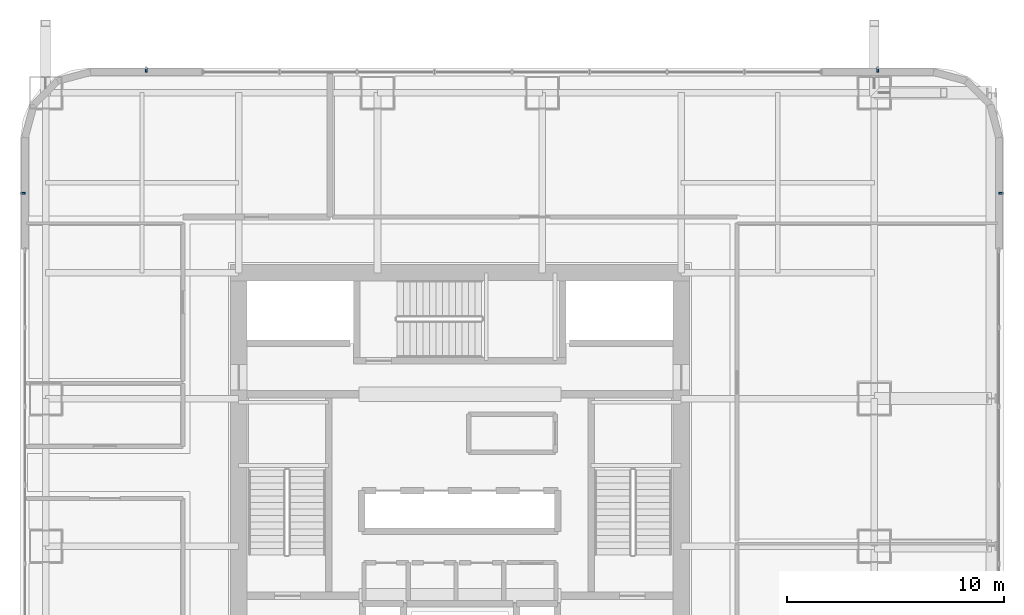
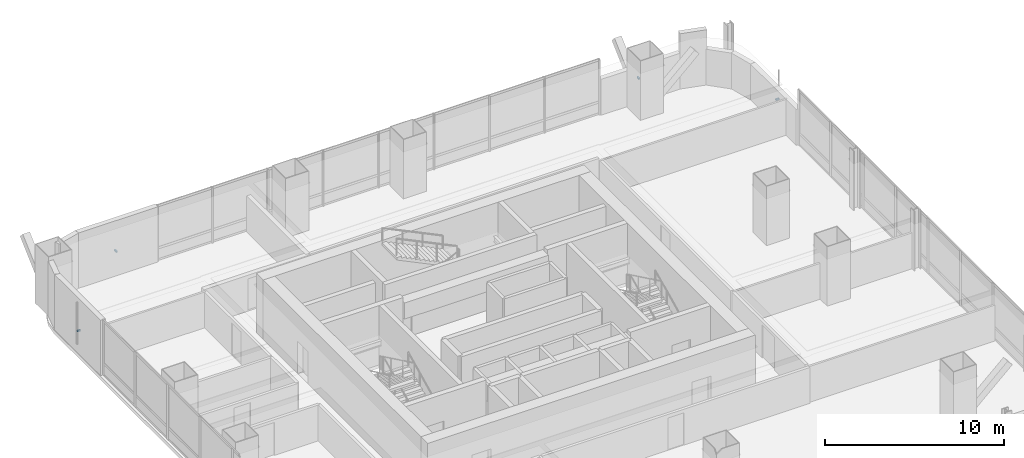
# One storey, part 32 of 42: 4 discrete accessories.
"""IFC4 building model written with IfcOpenShell, lengths in metres."""

import ifcopenshell
import ifcopenshell.guid

model = None  # the IFC model being written
_history = None  # IfcOwnerHistory: only IFC2X3 demands one
_inside = {}  # id of a spatial element -> (the spatial element, [elements in it])
_under = {}  # id of a project, library or spatial element -> (it, [spatial elements below it])
_declared = {}  # id of a project -> (the project, [libraries it declares])
_typed = {}  # id of a type object -> (the type object, [elements of that type])
_made_of = {}  # id of a material, layer set ... -> (it, [elements and type objects made of it])


def new_model(schema):
    """Start an empty IFC model of exactly this schema.

    Asked for "IFC4X3", IfcOpenShell would pick the latest addendum, in which some entities
    have other attributes; the version numbers below select the first issue.
    IFC2X3 requires an IfcOwnerHistory on every rooted entity: one is made here for all.
    """
    global model, _history
    if schema == "IFC4X3":
        model = ifcopenshell.file(schema_version=(4, 3, 0, 0))
    else:
        model = ifcopenshell.file(schema=schema)
    _inside.clear()
    _under.clear()
    _declared.clear()
    _typed.clear()
    _made_of.clear()
    _history = None
    if model.schema == "IFC2X3":
        org = make("IfcOrganization", Name="unknown")
        user = make(
            "IfcPersonAndOrganization",
            ThePerson=make("IfcPerson", FamilyName="unknown"),
            TheOrganization=org,
        )
        app = make(
            "IfcApplication",
            ApplicationDeveloper=org,
            Version="unknown",
            ApplicationFullName="unknown",
            ApplicationIdentifier="unknown",
        )
        _history = make(
            "IfcOwnerHistory",
            OwningUser=user,
            OwningApplication=app,
            ChangeAction="ADDED",
            CreationDate=0,
        )
    return model


def make(cls, **values):
    """One entity of the class cls with the attributes given. An attribute that is None is left unset."""
    return model.create_entity(
        cls, **{name: value for name, value in values.items() if value is not None}
    )


def rooted(cls, **values):
    """An entity with a GlobalId (a new one), such as an element, a storey or a relation."""
    return make(cls, GlobalId=ifcopenshell.guid.new(), OwnerHistory=_history, **values)


def si_unit(unit_type, name, prefix=None):
    """IfcSIUnit, for example si_unit("LENGTHUNIT", "METRE", prefix="MILLI")."""
    return make("IfcSIUnit", UnitType=unit_type, Prefix=prefix, Name=name)


def assignment(units):
    """IfcUnitAssignment: the units of a project."""
    return None if units is None else make("IfcUnitAssignment", Units=units)


def point(xyz):
    """IfcCartesianPoint."""
    return None if xyz is None else make("IfcCartesianPoint", Coordinates=xyz)


def direction(xyz):
    """IfcDirection."""
    return None if xyz is None else make("IfcDirection", DirectionRatios=xyz)


def frame(location, z_axis=None, x_axis=None):
    """IfcAxis2Placement3D, a coordinate frame: its origin and axes. An axis left out is left unset."""
    return make(
        "IfcAxis2Placement3D",
        Location=point(location),
        Axis=direction(z_axis),
        RefDirection=direction(x_axis),
    )


def frame_2d(location, x_axis=None):
    """IfcAxis2Placement2D, a coordinate frame in the plane: its origin and x axis."""
    return make(
        "IfcAxis2Placement2D", Location=point(location), RefDirection=direction(x_axis)
    )


def origin():
    """The frame at (0, 0, 0) with its axes left unset."""
    return frame((0.0, 0.0, 0.0))


def origin_2d():
    """The frame at (0, 0) in the plane with its x axis left unset."""
    return frame_2d((0.0, 0.0))


def place(relative_to, where):
    """IfcLocalPlacement: puts the frame where relative to a parent placement (None: the world)."""
    return make(
        "IfcLocalPlacement", PlacementRelTo=relative_to, RelativePlacement=where
    )


def context(
    kind, dimensions, precision=None, world=None, true_north=None, identifier=None
):
    """IfcGeometricRepresentationContext, for example the 3D "Model" context."""
    return make(
        "IfcGeometricRepresentationContext",
        ContextIdentifier=identifier,
        ContextType=kind,
        CoordinateSpaceDimension=dimensions,
        Precision=precision,
        WorldCoordinateSystem=world,
        TrueNorth=true_north,
    )


def subcontext(parent, identifier, kind, view, scale=None):
    """IfcGeometricRepresentationSubContext, for example "Body" below "Model"."""
    return make(
        "IfcGeometricRepresentationSubContext",
        ContextIdentifier=identifier,
        ContextType=kind,
        ParentContext=parent,
        TargetScale=scale,
        TargetView=view,
    )


def project(units=None, contexts=None):
    """IfcProject with its units and contexts."""
    return rooted(
        "IfcProject",
        Name="project",
        RepresentationContexts=contexts,
        UnitsInContext=assignment(units),
    )


def spatial(cls, under=None, at=None, **own):
    """A site, building, storey or space (cls), placed at a placement, below another one or the project."""
    s = rooted(cls, ObjectPlacement=at, **own)
    if under is not None:
        _under.setdefault(under.id(), (under, []))[1].append(s)
    return s


def profile(cls, at=None, kind="AREA", **sizes):
    """A parametric profile (cls). Its sizes go by their IFC names, for example OverallWidth=200.0."""
    return make(cls, ProfileType=kind, Position=at, **sizes)


def rectangle(**sizes):
    """IfcRectangleProfileDef."""
    return profile("IfcRectangleProfileDef", **sizes)


def extrude(swept, where, along, depth):
    """IfcExtrudedAreaSolid: the profile swept, set in the frame where, extruded along a direction by depth."""
    return make(
        "IfcExtrudedAreaSolid",
        SweptArea=swept,
        Position=where,
        ExtrudedDirection=direction(along),
        Depth=depth,
    )


def shape(context_of_items, identifier, shape_type, items):
    """IfcShapeRepresentation: the items that make up one representation, for example the "Body"."""
    return make(
        "IfcShapeRepresentation",
        ContextOfItems=context_of_items,
        RepresentationIdentifier=identifier,
        RepresentationType=shape_type,
        Items=items,
    )


def material(Name=None, Category=None):
    """IfcMaterial."""
    return make("IfcMaterial", Name=Name, Category=Category)


def made_of(thing, what):
    """Note that an element or type object is made of a material, layer set ...; save() writes the relation."""
    if what is not None:
        _made_of.setdefault(what.id(), (what, []))[1].append(thing)
    return thing


def type_object(cls, material=None, **own):
    """A type object (cls), such as IfcWallType, which elements share."""
    return made_of(rooted(cls, **own), material)


def element(
    cls,
    number,
    at=None,
    inside=None,
    cuts=None,
    type_object=None,
    material=None,
    context=None,
    identifier="Body",
    shape_type=None,
    held_by="IfcProductDefinitionShape",
    body=None,
    shapes=None,
    **own,
):
    """One element of the class cls, such as IfcWall. Its Tag is "e" and its number.

    at: its placement. inside: the storey or other place that contains it. cuts: it is an
    opening in that element (IfcRelVoidsElement). A single representation is given by context,
    identifier, shape_type and body (its items); several are given by shapes. held_by: the class
    of the entity that holds the representations. save() writes the other relations.
    """
    e = rooted(cls, Tag="e%d" % number, ObjectPlacement=at, **own)
    if body is not None:
        shapes = [shape(context, identifier, shape_type, body)]
    if shapes is not None:
        e.Representation = make(held_by, Representations=shapes)
    if inside is not None:
        _inside.setdefault(inside.id(), (inside, []))[1].append(e)
    if cuts is not None:
        rooted(
            "IfcRelVoidsElement", RelatingBuildingElement=cuts, RelatedOpeningElement=e
        )
    if type_object is not None:
        _typed.setdefault(type_object.id(), (type_object, []))[1].append(e)
    return made_of(e, material)


def aggregate(whole, parts):
    """IfcRelAggregates: a whole, such as a stair, and the parts it consists of."""
    return rooted("IfcRelAggregates", RelatingObject=whole, RelatedObjects=parts)


def save(model, path):
    """Write the relations noted so far, then the file.

    IfcRelAggregates (storeys below a building ...), IfcRelContainedInSpatialStructure (elements
    in a storey), IfcRelDefinesByType, IfcRelAssociatesMaterial and IfcRelDeclares: one each for
    every whole, place, type object, material and project.
    """
    for whole, parts in _under.values():
        aggregate(whole, parts)
    for where, things in _inside.values():
        rooted(
            "IfcRelContainedInSpatialStructure",
            RelatedElements=things,
            RelatingStructure=where,
        )
    for kind, things in _typed.values():
        rooted("IfcRelDefinesByType", RelatedObjects=things, RelatingType=kind)
    for what, things in _made_of.values():
        rooted("IfcRelAssociatesMaterial", RelatedObjects=things, RelatingMaterial=what)
    for by, libraries in _declared.values():
        rooted("IfcRelDeclares", RelatingContext=by, RelatedDefinitions=libraries)
    model.write(path)


model = new_model("IFC4")

# Units and contexts
model_context = context("Model", 3, precision=1e-05, world=origin(), true_north=direction((0.0, 1.0)))
body_context = subcontext(model_context, "Body", "Model", "MODEL_VIEW")
ifc_project = project(units=[si_unit("LENGTHUNIT", "METRE"), si_unit("AREAUNIT", "SQUARE_METRE"), si_unit("VOLUMEUNIT", "CUBIC_METRE"), si_unit("PLANEANGLEUNIT", "RADIAN"), si_unit("MASSUNIT", "GRAM", prefix="KILO")], contexts=[model_context])

# Site, building, storey
site_placement = place(None, origin())
site = spatial("IfcSite", under=ifc_project, at=site_placement, CompositionType="ELEMENT")
building_placement = place(site_placement, origin())
building = spatial("IfcBuilding", under=site, at=building_placement, Name="Punatoya Terracotta Tower", CompositionType="ELEMENT")
storey_placement = place(building_placement, frame((0.0, 0.0, 88.949951171875)))
storey = spatial("IfcBuildingStorey", under=building, at=storey_placement, Name="L20", CompositionType="ELEMENT", Elevation=88.949951171875)

# Discrete accessories
ifc_material = material(Name="Steel S355", Category="steel")
discrete_accessory_type = type_object("IfcDiscreteAccessoryType", Name="ACC-BRK-220", PredefinedType="BRACKET", material=ifc_material)
for number, where, z_axis, x_axis, name in (
    (1, (24.949951171875, 12.868408203125, 1.449951171875), (0.0, 0.0, 1.0), (0.0, 1.0, 0.0), "L20 Jali Fin Support Bracket E2"),
    (2, (19.2685546875, 18.550048828125, 1.449951171875), (0.0, 0.0, 1.0), (-1.0, 0.0, 0.0), "L20 Jali Fin Support Bracket N1"),
    (3, (-14.468505859375, 18.550048828125, 1.449951171875), (0.0, 0.0, 1.0), (-1.0, 0.0, 0.0), "L20 Jali Fin Support Bracket N2"),
    (4, (-20.14990234375, 12.868408203125, 1.449951171875), (0.0, 0.0, 1.0), (0.0, -1.0, 0.0), "L20 Jali Fin Support Bracket W1"),
):
    element("IfcDiscreteAccessory", number, at=place(storey_placement, frame(where, z_axis=z_axis, x_axis=x_axis)), inside=storey, type_object=discrete_accessory_type, Name=name, PredefinedType="BRACKET", context=body_context, shape_type="SweptSolid", body=[
        extrude(rectangle(XDim=0.090087890625, YDim=0.219970703125, at=origin_2d()), origin(), (0.0, 0.0, 1.0), 0.10009765625),
    ])

save(model, "model.ifc")
